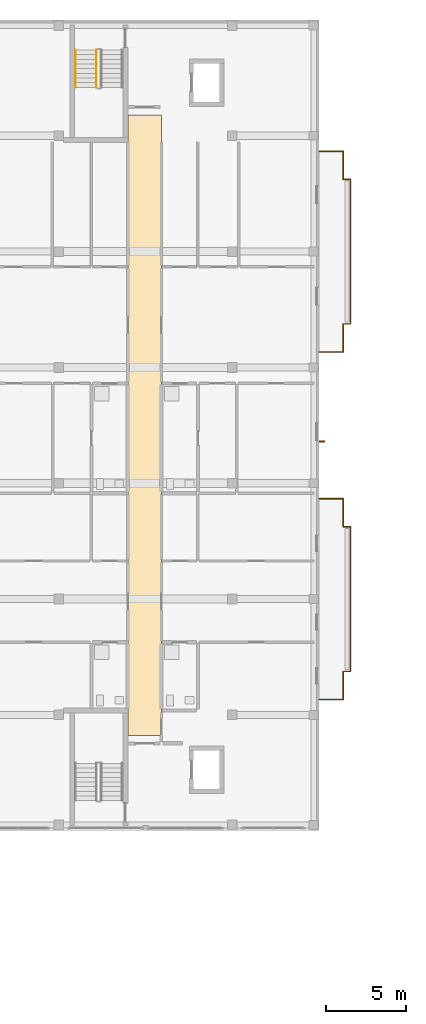
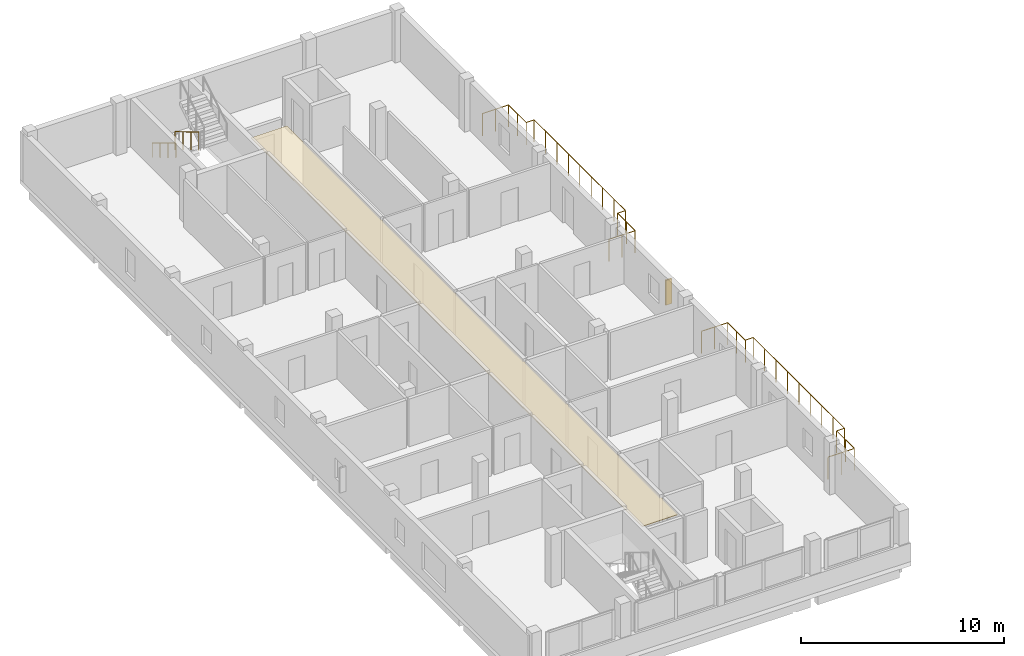
# One storey, part 33 of 41: 4 railings, 1 covering, 1 shading device.
"""IFC4 building model written with IfcOpenShell, lengths in metres."""

from ifc_helpers import new_model, si_unit, derived_unit, direction, frame, origin, origin_2d, place, context, subcontext, project, spatial, polyline, rectangle, circle, outline, extrude, material, layer, layer_set, type_object, element, save


model = new_model("IFC4")

# Units and contexts
model_context = context("Model", 3, precision=1e-05, world=origin(), true_north=direction((0.0, 1.0)))
body_context = subcontext(model_context, "Body", "Model", "MODEL_VIEW")
ifc_project = project(units=[si_unit("LENGTHUNIT", "METRE"), si_unit("AREAUNIT", "SQUARE_METRE"), si_unit("VOLUMEUNIT", "CUBIC_METRE"), si_unit("PLANEANGLEUNIT", "RADIAN"), si_unit("MASSUNIT", "GRAM", prefix="KILO"), derived_unit("THERMALTRANSMITTANCEUNIT", [(si_unit("MASSUNIT", "GRAM", prefix="KILO"), 1), (si_unit("TIMEUNIT", "SECOND"), -3), (si_unit("THERMODYNAMICTEMPERATUREUNIT", "KELVIN"), -1)])], contexts=[model_context])

# Site, building, storey
site_placement = place(None, origin())
site = spatial("IfcSite", under=ifc_project, at=site_placement, CompositionType="ELEMENT")
building_placement = place(site_placement, origin())
building = spatial("IfcBuilding", under=site, at=building_placement, Name="Ochrekiln Boulevard Commons", CompositionType="ELEMENT")
storey_placement = place(building_placement, frame((0.0, 0.0, 21.52490234375)))
storey = spatial("IfcBuildingStorey", under=building, at=storey_placement, Name="L06", CompositionType="ELEMENT", Elevation=21.52490234375)

# Covering
ifc_material_1 = material(Name="Mineral-fibre acoustic ceiling tile")
ifc_layer = layer(ifc_material_1, 0.02490234375)
ifc_layer_set = layer_set([ifc_layer], Name="Mineral-fibre acoustic ceiling tile")
covering_type = type_object("IfcCoveringType", Name="COV-CEIL-AC", PredefinedType="CEILING", material=ifc_layer_set)
covering_placement = place(storey_placement, frame((0.0, 0.0, 2.650146484375)))
element("IfcCovering", 1, at=covering_placement, inside=storey, type_object=covering_type, Name="L06 Acoustic Corridor Ceiling 51", PredefinedType="CEILING", context=body_context, shape_type="SweptSolid", body=[
    extrude(outline(polyline([(9.719970703125, 74.320068359375), (11.780029296875, 74.320068359375), (11.780029296875, 112.8798828125), (9.719970703125, 112.8798828125), (9.719970703125, 74.320068359375)])), origin(), (0.0, 0.0, 1.0), 0.02490234375),
])

# Railings
ifc_material_2 = material(Name="Bronze-anodized extruded aluminium 6063-T6", Category="aluminium")
railing_type_1 = type_object("IfcRailingType", Name="RLG-BAL-1350", PredefinedType="BALUSTRADE", material=ifc_material_2)
railing_1_placement = place(storey_placement, frame((21.60009765625, 76.56005859375, 0.0)))
element("IfcRailing", 2, at=railing_1_placement, inside=storey, type_object=railing_type_1, Name="Block A L06 Balcony Guard Balustrade 1", PredefinedType="BALUSTRADE", context=body_context, shape_type="SweptSolid", body=[
    extrude(circle(Radius=0.02392578125, at=origin_2d()), frame((0.0, 0.0, 1.326171875), z_axis=(1.0, 0.0, 0.0), x_axis=(0.0, 1.0, 0.0)), (0.0, 0.0, 1.0), 1.489990234375),
    extrude(circle(Radius=0.02392578125, at=origin_2d()), frame((1.489990234375, 0.0, 1.326171875), z_axis=(0.0, 1.0, 0.0), x_axis=(-1.0, 0.0, 0.0)), (0.0, 0.0, 1.0), 1.739990234375),
    extrude(circle(Radius=0.02392578125, at=origin_2d()), frame((1.489990234375, 1.739990234375, 1.326171875), z_axis=(1.0, 0.0, 0.0), x_axis=(0.0, 1.0, 0.0)), (0.0, 0.0, 1.0), 0.449951171875),
    extrude(circle(Radius=0.02392578125, at=origin_2d()), frame((1.93994140625, 1.739990234375, 1.326171875), z_axis=(0.0, 1.0, 0.0), x_axis=(-1.0, 0.0, 0.0)), (0.0, 0.0, 1.0), 9.0),
    extrude(circle(Radius=0.02392578125, at=origin_2d()), frame((1.93994140625, 10.739990234375, 1.326171875), z_axis=(-1.0, 0.0, 0.0), x_axis=(0.0, -1.0, 0.0)), (0.0, 0.0, 1.0), 0.449951171875),
    extrude(circle(Radius=0.02392578125, at=origin_2d()), frame((1.489990234375, 10.739990234375, 1.326171875), z_axis=(0.0, 1.0, 0.0), x_axis=(-1.0, 0.0, 0.0)), (0.0, 0.0, 1.0), 1.739990234375),
    extrude(circle(Radius=0.02392578125, at=origin_2d()), frame((1.489990234375, 12.47998046875, 1.326171875), z_axis=(-1.0, 0.0, 0.0), x_axis=(0.0, -1.0, 0.0)), (0.0, 0.0, 1.0), 1.489990234375),
    extrude(circle(Radius=0.02099609375, at=origin_2d()), origin(), (0.0, 0.0, 1.0), 1.302001953125),
    extrude(circle(Radius=0.02099609375, at=origin_2d()), frame((0.7451171875, 0.0, 0.0)), (0.0, 0.0, 1.0), 1.302001953125),
    extrude(circle(Radius=0.02099609375, at=origin_2d()), frame((1.489990234375, 0.0, 0.0)), (0.0, 0.0, 1.0), 1.302001953125),
    extrude(circle(Radius=0.02099609375, at=origin_2d()), frame((1.489990234375, 0.8701171875, 0.0)), (0.0, 0.0, 1.0), 1.302001953125),
    extrude(circle(Radius=0.02099609375, at=origin_2d()), frame((1.489990234375, 1.739990234375, 0.0)), (0.0, 0.0, 1.0), 1.302001953125),
    extrude(circle(Radius=0.02099609375, at=origin_2d()), frame((1.93994140625, 1.739990234375, 0.0)), (0.0, 0.0, 1.0), 1.302001953125),
    extrude(circle(Radius=0.02099609375, at=origin_2d()), frame((1.93994140625, 2.864990234375, 0.0)), (0.0, 0.0, 1.0), 1.302001953125),
    extrude(circle(Radius=0.02099609375, at=origin_2d()), frame((1.93994140625, 3.989990234375, 0.0)), (0.0, 0.0, 1.0), 1.302001953125),
    extrude(circle(Radius=0.02099609375, at=origin_2d()), frame((1.93994140625, 5.114990234375, 0.0)), (0.0, 0.0, 1.0), 1.302001953125),
    extrude(circle(Radius=0.02099609375, at=origin_2d()), frame((1.93994140625, 6.239990234375, 0.0)), (0.0, 0.0, 1.0), 1.302001953125),
    extrude(circle(Radius=0.02099609375, at=origin_2d()), frame((1.93994140625, 7.364990234375, 0.0)), (0.0, 0.0, 1.0), 1.302001953125),
    extrude(circle(Radius=0.02099609375, at=origin_2d()), frame((1.93994140625, 8.489990234375, 0.0)), (0.0, 0.0, 1.0), 1.302001953125),
    extrude(circle(Radius=0.02099609375, at=origin_2d()), frame((1.93994140625, 9.614990234375, 0.0)), (0.0, 0.0, 1.0), 1.302001953125),
    extrude(circle(Radius=0.02099609375, at=origin_2d()), frame((1.93994140625, 10.739990234375, 0.0)), (0.0, 0.0, 1.0), 1.302001953125),
    extrude(circle(Radius=0.02099609375, at=origin_2d()), frame((1.489990234375, 10.739990234375, 0.0)), (0.0, 0.0, 1.0), 1.302001953125),
    extrude(circle(Radius=0.02099609375, at=origin_2d()), frame((1.489990234375, 11.60986328125, 0.0)), (0.0, 0.0, 1.0), 1.302001953125),
    extrude(circle(Radius=0.02099609375, at=origin_2d()), frame((1.489990234375, 12.47998046875, 0.0)), (0.0, 0.0, 1.0), 1.302001953125),
    extrude(circle(Radius=0.02099609375, at=origin_2d()), frame((0.7451171875, 12.47998046875, 0.0)), (0.0, 0.0, 1.0), 1.302001953125),
    extrude(circle(Radius=0.02099609375, at=origin_2d()), frame((0.0, 12.47998046875, 0.0)), (0.0, 0.0, 1.0), 1.302001953125),
])
railing_2_placement = place(storey_placement, frame((21.60009765625, 98.159912109375, 0.0)))
element("IfcRailing", 3, at=railing_2_placement, inside=storey, type_object=railing_type_1, Name="Block A L06 Balcony Guard Balustrade 2", PredefinedType="BALUSTRADE", context=body_context, shape_type="SweptSolid", body=[
    extrude(circle(Radius=0.02392578125, at=origin_2d()), frame((0.0, 0.0, 1.326171875), z_axis=(1.0, 0.0, 0.0), x_axis=(0.0, 1.0, 0.0)), (0.0, 0.0, 1.0), 1.489990234375),
    extrude(circle(Radius=0.02392578125, at=origin_2d()), frame((1.489990234375, 0.0, 1.326171875), z_axis=(0.0, 1.0, 0.0), x_axis=(-1.0, 0.0, 0.0)), (0.0, 0.0, 1.0), 1.739990234375),
    extrude(circle(Radius=0.02392578125, at=origin_2d()), frame((1.489990234375, 1.739990234375, 1.326171875), z_axis=(1.0, 0.0, 0.0), x_axis=(0.0, 1.0, 0.0)), (0.0, 0.0, 1.0), 0.449951171875),
    extrude(circle(Radius=0.02392578125, at=origin_2d()), frame((1.93994140625, 1.739990234375, 1.326171875), z_axis=(0.0, 1.0, 0.0), x_axis=(-1.0, 0.0, 0.0)), (0.0, 0.0, 1.0), 9.0),
    extrude(circle(Radius=0.02392578125, at=origin_2d()), frame((1.93994140625, 10.739990234375, 1.326171875), z_axis=(-1.0, 0.0, 0.0), x_axis=(0.0, -1.0, 0.0)), (0.0, 0.0, 1.0), 0.449951171875),
    extrude(circle(Radius=0.02392578125, at=origin_2d()), frame((1.489990234375, 10.739990234375, 1.326171875), z_axis=(0.0, 1.0, 0.0), x_axis=(-1.0, 0.0, 0.0)), (0.0, 0.0, 1.0), 1.739990234375),
    extrude(circle(Radius=0.02392578125, at=origin_2d()), frame((1.489990234375, 12.47998046875, 1.326171875), z_axis=(-1.0, 0.0, 0.0), x_axis=(0.0, -1.0, 0.0)), (0.0, 0.0, 1.0), 1.489990234375),
    extrude(circle(Radius=0.02099609375, at=origin_2d()), origin(), (0.0, 0.0, 1.0), 1.302001953125),
    extrude(circle(Radius=0.02099609375, at=origin_2d()), frame((0.7451171875, 0.0, 0.0)), (0.0, 0.0, 1.0), 1.302001953125),
    extrude(circle(Radius=0.02099609375, at=origin_2d()), frame((1.489990234375, 0.0, 0.0)), (0.0, 0.0, 1.0), 1.302001953125),
    extrude(circle(Radius=0.02099609375, at=origin_2d()), frame((1.489990234375, 0.8701171875, 0.0)), (0.0, 0.0, 1.0), 1.302001953125),
    extrude(circle(Radius=0.02099609375, at=origin_2d()), frame((1.489990234375, 1.739990234375, 0.0)), (0.0, 0.0, 1.0), 1.302001953125),
    extrude(circle(Radius=0.02099609375, at=origin_2d()), frame((1.93994140625, 1.739990234375, 0.0)), (0.0, 0.0, 1.0), 1.302001953125),
    extrude(circle(Radius=0.02099609375, at=origin_2d()), frame((1.93994140625, 2.864990234375, 0.0)), (0.0, 0.0, 1.0), 1.302001953125),
    extrude(circle(Radius=0.02099609375, at=origin_2d()), frame((1.93994140625, 3.989990234375, 0.0)), (0.0, 0.0, 1.0), 1.302001953125),
    extrude(circle(Radius=0.02099609375, at=origin_2d()), frame((1.93994140625, 5.114990234375, 0.0)), (0.0, 0.0, 1.0), 1.302001953125),
    extrude(circle(Radius=0.02099609375, at=origin_2d()), frame((1.93994140625, 6.239990234375, 0.0)), (0.0, 0.0, 1.0), 1.302001953125),
    extrude(circle(Radius=0.02099609375, at=origin_2d()), frame((1.93994140625, 7.364990234375, 0.0)), (0.0, 0.0, 1.0), 1.302001953125),
    extrude(circle(Radius=0.02099609375, at=origin_2d()), frame((1.93994140625, 8.489990234375, 0.0)), (0.0, 0.0, 1.0), 1.302001953125),
    extrude(circle(Radius=0.02099609375, at=origin_2d()), frame((1.93994140625, 9.614990234375, 0.0)), (0.0, 0.0, 1.0), 1.302001953125),
    extrude(circle(Radius=0.02099609375, at=origin_2d()), frame((1.93994140625, 10.739990234375, 0.0)), (0.0, 0.0, 1.0), 1.302001953125),
    extrude(circle(Radius=0.02099609375, at=origin_2d()), frame((1.489990234375, 10.739990234375, 0.0)), (0.0, 0.0, 1.0), 1.302001953125),
    extrude(circle(Radius=0.02099609375, at=origin_2d()), frame((1.489990234375, 11.60986328125, 0.0)), (0.0, 0.0, 1.0), 1.302001953125),
    extrude(circle(Radius=0.02099609375, at=origin_2d()), frame((1.489990234375, 12.47998046875, 0.0)), (0.0, 0.0, 1.0), 1.302001953125),
    extrude(circle(Radius=0.02099609375, at=origin_2d()), frame((0.7451171875, 12.47998046875, 0.0)), (0.0, 0.0, 1.0), 1.302001953125),
    extrude(circle(Radius=0.02099609375, at=origin_2d()), frame((0.0, 12.47998046875, 0.0)), (0.0, 0.0, 1.0), 1.302001953125),
])
ifc_material_3 = material(Name="Brushed stainless steel 316 tubular railing", Category="steel")
railing_type_2 = type_object("IfcRailingType", Name="RLG-HDR-900", PredefinedType="HANDRAIL", material=ifc_material_3)
railing_3_placement = place(storey_placement, frame((6.449951171875, 116.929931640625, 0.175048828125)))
element("IfcRailing", 4, at=railing_3_placement, inside=storey, type_object=railing_type_2, Name="L06 ST-A2 stair handrail 1", PredefinedType="HANDRAIL", context=body_context, shape_type="SweptSolid", body=[
    extrude(circle(Radius=0.02392578125, at=origin_2d()), frame((0.0, 0.0, 0.8759765625), z_axis=(0.0, -0.856146426353, 0.516733293531), x_axis=(1.0, 0.0, 0.0)), (0.0, 0.0, 1.0), 2.709716796875),
    extrude(circle(Radius=0.02099609375, at=origin_2d()), origin(), (0.0, 0.0, 1.0), 0.851806640625),
    extrude(circle(Radius=0.02099609375, at=origin_2d()), frame((0.0, -0.773193359375, 0.466796875)), (0.0, 0.0, 1.0), 0.851806640625),
    extrude(circle(Radius=0.02099609375, at=origin_2d()), frame((0.0, -1.546630859375, 0.933349609375)), (0.0, 0.0, 1.0), 0.851806640625),
    extrude(circle(Radius=0.02099609375, at=origin_2d()), frame((0.0, -2.31982421875, 1.400146484375)), (0.0, 0.0, 1.0), 0.851806640625),
])
railing_type_3 = type_object("IfcRailingType", Name="RLG-STR-1120", PredefinedType="BALUSTRADE", material=ifc_material_3)
railing_4_placement = place(storey_placement, frame((7.75, 116.929931640625, 0.175048828125)))
element("IfcRailing", 5, at=railing_4_placement, inside=storey, type_object=railing_type_3, Name="L06 ST-A2 stair guard 1", PredefinedType="BALUSTRADE", context=body_context, shape_type="SweptSolid", body=[
    extrude(circle(Radius=0.02392578125, at=origin_2d()), frame((0.0, 0.0, 1.09619140625), z_axis=(0.0, -0.856146426353, 0.516733293531), x_axis=(1.0, 0.0, 0.0)), (0.0, 0.0, 1.0), 2.709716796875),
    extrude(circle(Radius=0.02099609375, at=origin_2d()), origin(), (0.0, 0.0, 1.0), 1.072021484375),
    extrude(circle(Radius=0.02099609375, at=origin_2d()), frame((0.0, -0.773193359375, 0.466796875)), (0.0, 0.0, 1.0), 1.072021484375),
    extrude(circle(Radius=0.02099609375, at=origin_2d()), frame((0.0, -1.546630859375, 0.933349609375)), (0.0, 0.0, 1.0), 1.072021484375),
    extrude(circle(Radius=0.02099609375, at=origin_2d()), frame((0.0, -2.31982421875, 1.400146484375)), (0.0, 0.0, 1.0), 1.072021484375),
])

# Shading device
ifc_material_4 = material(Name="Glazed architectural terracotta ASTM C1405", Category="masonry")
shading_device_type = type_object("IfcShadingDeviceType", Name="SHD-FIN-TERRA", PredefinedType="JALOUSIE", material=ifc_material_4)
shading_device_placement = place(storey_placement, frame((21.77001953125, 92.592041015625, 0.75), z_axis=(0.0, 0.0, 1.0), x_axis=(1.0, 0.0, 0.0)))
element("IfcShadingDevice", 6, at=shading_device_placement, inside=storey, type_object=shading_device_type, Name="Terracotta Solar Shading Fin SF-01 (11)", PredefinedType="JALOUSIE", context=body_context, shape_type="SweptSolid", body=[
    extrude(rectangle(XDim=0.35009765625, YDim=0.080078125, at=origin_2d()), origin(), (0.0, 0.0, 1.0), 1.5),
])

save(model, "model.ifc")
